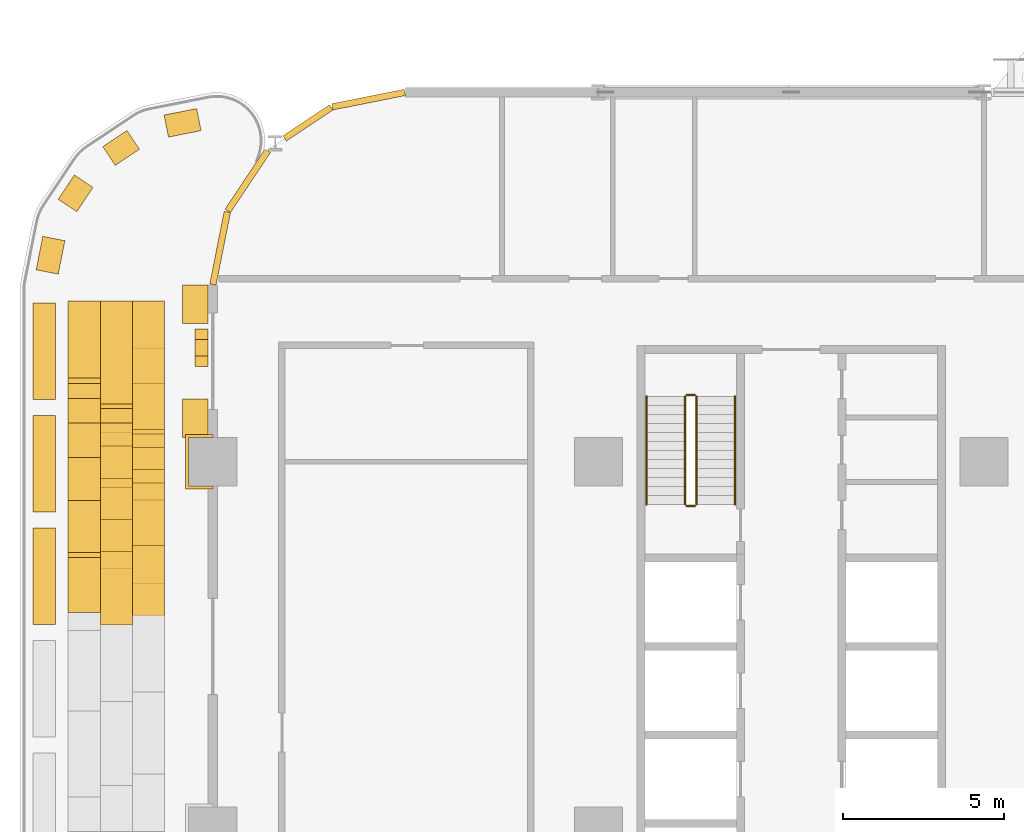
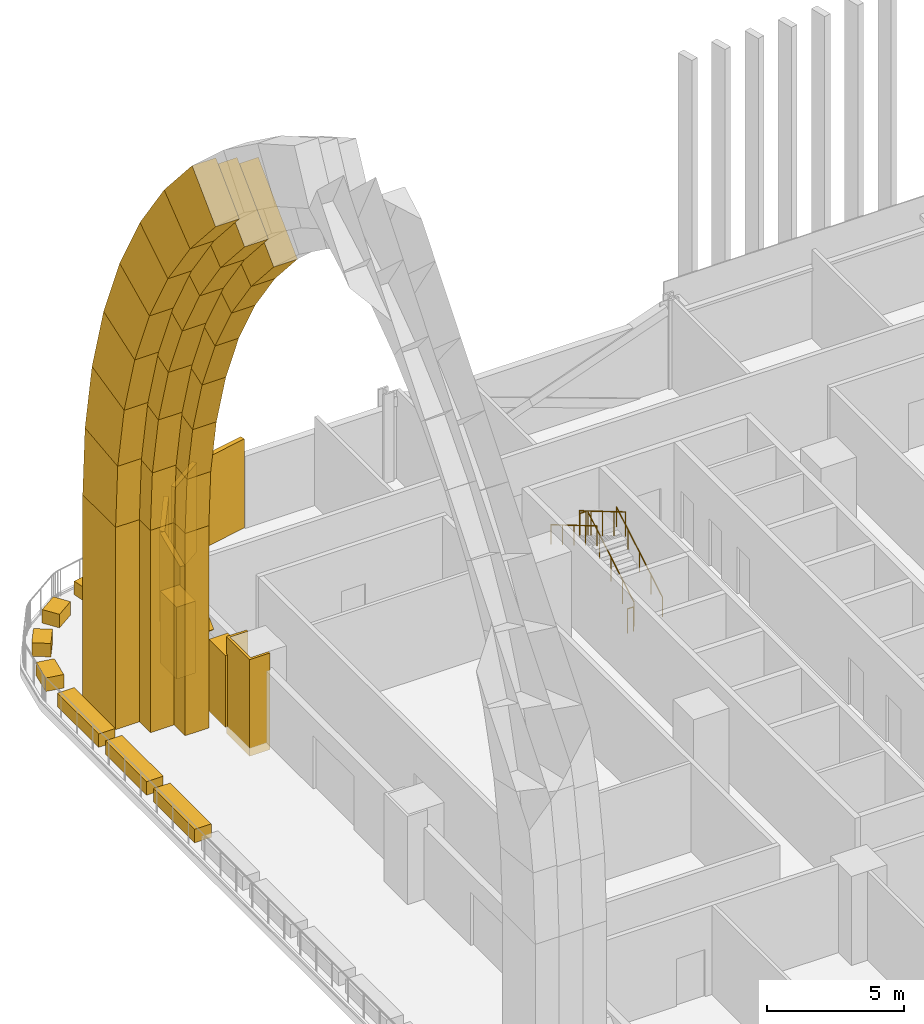
# One storey, part 25 of 29: 39 coverings, 6 railings.
"""IFC4 building model written with IfcOpenShell, lengths in metres."""

from ifc_helpers import new_model, si_unit, direction, frame, origin, origin_2d, place, context, subcontext, project, spatial, polyline, rectangle, circle, outline, extrude, material, layer, layer_set, type_object, element, save


model = new_model("IFC4")

# Units and contexts
model_context = context("Model", 3, precision=1e-05, world=origin(), true_north=direction((0.0, 1.0)))
body_context = subcontext(model_context, "Body", "Model", "MODEL_VIEW")
ifc_project = project(units=[si_unit("LENGTHUNIT", "METRE"), si_unit("AREAUNIT", "SQUARE_METRE"), si_unit("VOLUMEUNIT", "CUBIC_METRE"), si_unit("PLANEANGLEUNIT", "RADIAN"), si_unit("MASSUNIT", "GRAM", prefix="KILO")], contexts=[model_context])

# Site, building, storey
site_placement = place(None, origin())
site = spatial("IfcSite", under=ifc_project, at=site_placement, CompositionType="ELEMENT")
building_placement = place(site_placement, origin())
building = spatial("IfcBuilding", under=site, at=building_placement, Name="Mahtab Terrace Research Tower", CompositionType="ELEMENT")
storey_placement = place(building_placement, frame((0.0, 0.0, 46.0)))
storey = spatial("IfcBuildingStorey", under=building, at=storey_placement, Name="L10", CompositionType="ELEMENT", Elevation=46.0)

# Coverings
ifc_material_1 = material(Name="Black aluminium cladding panel", Category="aluminium")
ifc_layer_1 = layer(ifc_material_1, 0.199951171875)
ifc_layer_set_1 = layer_set([ifc_layer_1], Name="Black metal corner cladding 200")
covering_type_1 = type_object("IfcCoveringType", Name="Black metal corner cladding 200", PredefinedType="CLADDING", material=ifc_layer_set_1)
covering_1_placement = place(storey_placement, frame((-37.14794921875, 22.771484375, 0.0), z_axis=(0.0, 0.0, 1.0), x_axis=(-0.980760981187, -0.195212442692, 0.0)))
element("IfcCovering", 1, at=covering_1_placement, inside=storey, type_object=covering_type_1, Name="Corner cladding L10 11", PredefinedType="CLADDING", context=body_context, shape_type="SweptSolid", body=[
    extrude(rectangle(XDim=2.30126953125, YDim=0.199951171875, at=origin_2d()), origin(), (0.0, 0.0, 1.0), 3.9599609375),
])
covering_2_placement = place(storey_placement, frame((-39.0380859375, 22.047607421875, 0.0), z_axis=(0.0, 0.0, 1.0), x_axis=(-0.831655794326, -0.555291490808, 0.0)))
element("IfcCovering", 2, at=covering_2_placement, inside=storey, type_object=covering_type_1, Name="Corner cladding L10 12", PredefinedType="CLADDING", context=body_context, shape_type="SweptSolid", body=[
    extrude(rectangle(XDim=1.74462890625, YDim=0.199951171875, at=origin_2d()), origin(), (0.0, 0.0, 1.0), 3.9599609375),
])
covering_3_placement = place(storey_placement, frame((-40.911376953125, 20.2421875, 0.0), z_axis=(0.0, 0.0, 1.0), x_axis=(-0.555291490808, -0.831655794326, 0.0)))
element("IfcCovering", 3, at=covering_3_placement, inside=storey, type_object=covering_type_1, Name="Corner cladding L10 13", PredefinedType="CLADDING", context=body_context, shape_type="SweptSolid", body=[
    extrude(rectangle(XDim=2.235595703125, YDim=0.199951171875, at=origin_2d()), origin(), (0.0, 0.0, 1.0), 3.9599609375),
])
covering_4_placement = place(storey_placement, frame((-41.771484375, 18.14794921875, 0.0), z_axis=(0.0, 0.0, 1.0), x_axis=(-0.195212442692, -0.980760981187, 0.0)))
element("IfcCovering", 4, at=covering_4_placement, inside=storey, type_object=covering_type_1, Name="Corner cladding L10 14", PredefinedType="CLADDING", context=body_context, shape_type="SweptSolid", body=[
    extrude(rectangle(XDim=2.30126953125, YDim=0.199951171875, at=origin_2d()), origin(), (0.0, 0.0, 1.0), 3.9599609375),
])
ifc_material_2 = material(Name="Dark anodised aluminium cladding", Category="aluminium")
ifc_layer_2 = layer(ifc_material_2, 0.10009765625)
ifc_layer_set_2 = layer_set([ifc_layer_2], Name="Column casing 100")
covering_type_2 = type_object("IfcCoveringType", Name="Column casing 100", PredefinedType="CLADDING", material=ifc_layer_set_2)
covering_5_placement = place(storey_placement, frame((0.0, 0.0, -0.340087890625)))
element("IfcCovering", 5, at=covering_5_placement, inside=storey, type_object=covering_type_2, Name="Column casing RC-1C L10", PredefinedType="CLADDING", context=body_context, shape_type="SweptSolid", body=[
    extrude(outline(polyline([(-42.85009765625, 12.35009765625), (-42.0, 12.35009765625), (-42.0, 12.25), (-42.75, 12.25), (-42.75, 10.75), (-42.0, 10.75), (-42.0, 10.64990234375), (-42.85009765625, 10.64990234375), (-42.85009765625, 12.35009765625)])), origin(), (0.0, 0.0, 1.0), 4.300048828125),
])
ifc_material_3 = material(Name="Glazed ceramic tile cladding", Category="masonry")
ifc_layer_3 = layer(ifc_material_3, 1.0)
ifc_layer_set_3 = layer_set([ifc_layer_3], Name="Iwan portal cladding arch course 800")
covering_type_3 = type_object("IfcCoveringType", Name="Iwan portal cladding arch course 800", PredefinedType="CLADDING", material=ifc_layer_set_3)
covering_6_placement = place(storey_placement, frame((-43.5, 16.5, 9.030029296875), z_axis=(1.0, 0.0, 0.0), x_axis=(0.0, -0.055460822984, 0.998460864087)))
element("IfcCovering", 6, at=covering_6_placement, inside=storey, type_object=covering_type_3, Name="Iwan portal arch course 1.1.1W1", PredefinedType="CLADDING", context=body_context, shape_type="SweptSolid", body=[
    extrude(outline(polyline([(0.0, 0.0), (2.9405610794109034, 0.0), (2.7186306677855194, 3.9942862708441975), (0.22184329193756697, 3.9938434563490723), (0.0, 0.0)])), origin(), (0.0, 0.0, -1.0), 1.0),
])
covering_7_placement = place(storey_placement, frame((-43.5, 16.3369140625, 11.966064453125), z_axis=(1.0, 0.0, 0.0), x_axis=(0.0, -0.165879751015, 0.986145987267)))
element("IfcCovering", 7, at=covering_7_placement, inside=storey, type_object=covering_type_3, Name="Iwan portal arch course 1.1.1W2", PredefinedType="CLADDING", context=body_context, shape_type="SweptSolid", body=[
    extrude(outline(polyline([(0.0, 0.0), (2.94064203595893, -5.551115123125783e-17), (2.7191034176517146, 3.993193572315673), (0.22253339316267756, 3.9942527223482194), (0.0, 0.0)])), origin(), (0.0, 0.0, -1.0), 1.0),
])
covering_8_placement = place(storey_placement, frame((-43.5, 15.84912109375, 14.865966796875), z_axis=(1.0, 0.0, 0.0), x_axis=(0.0, -0.273821813739, 0.961780439768)))
element("IfcCovering", 8, at=covering_8_placement, inside=storey, type_object=covering_type_3, Name="Iwan portal arch course 1.1.1W3", PredefinedType="CLADDING", context=body_context, shape_type="SweptSolid", body=[
    extrude(outline(polyline([(0.0, 0.0), (2.940509999019991, -1.1102230246251565e-16), (2.7177216281952585, 3.9946852902108576), (0.22101927125385878, 3.9932223513246905), (0.0, 0.0)])), origin(), (0.0, 0.0, -1.0), 1.0),
])
covering_9_placement = place(storey_placement, frame((-43.5, 15.0439453125, 17.694091796875), z_axis=(1.0, 0.0, 0.0), x_axis=(0.0, -0.379062643921, 0.925371013153)))
element("IfcCovering", 9, at=covering_9_placement, inside=storey, type_object=covering_type_3, Name="Iwan portal arch course 1.1.1W4", PredefinedType="CLADDING", context=body_context, shape_type="SweptSolid", body=[
    extrude(outline(polyline([(0.0, 0.0), (2.941440556745329, -2.220446049250313e-16), (2.719930428130478, 3.9941025916612407), (0.22275519480547556, 3.994687140338892), (0.0, 0.0)])), origin(), (0.0, 0.0, -1.0), 1.0),
])
covering_10_placement = place(storey_placement, frame((-43.5, 13.928955078125, 20.416015625), z_axis=(1.0, 0.0, 0.0), x_axis=(0.0, -0.478881220228, 0.877879705263)))
element("IfcCovering", 10, at=covering_10_placement, inside=storey, type_object=covering_type_3, Name="Iwan portal arch course 1.1.1W5", PredefinedType="CLADDING", context=body_context, shape_type="SweptSolid", body=[
    extrude(outline(polyline([(0.0, 0.0), (2.9401006447990863, 0.0), (2.7175441550409722, 3.994260769571238), (0.22067789270468263, 3.9941486599105733), (0.0, 0.0)])), origin(), (0.0, 0.0, -1.0), 1.0),
])
covering_11_placement = place(storey_placement, frame((-43.5, 12.52099609375, 22.9970703125), z_axis=(1.0, 0.0, 0.0), x_axis=(0.0, -0.573412190327, 0.819267026057)))
element("IfcCovering", 11, at=covering_11_placement, inside=storey, type_object=covering_type_3, Name="Iwan portal arch course 1.1.1W6", PredefinedType="CLADDING", context=body_context, shape_type="SweptSolid", body=[
    extrude(outline(polyline([(0.0, 0.0), (2.9403545733650764, -2.220446049250313e-16), (2.7185814280906406, 3.9940420548651225), (0.22240414855525636, 3.9942692549670062), (0.0, 0.0)])), origin(), (0.0, 0.0, -1.0), 1.0),
])
covering_12_placement = place(storey_placement, frame((-43.5, 10.8349609375, 25.406005859375), z_axis=(1.0, 0.0, 0.0), x_axis=(0.0, -0.660594211147, 0.750743157277)))
element("IfcCovering", 12, at=covering_12_placement, inside=storey, type_object=covering_type_3, Name="Iwan portal arch course 1.1.1W7", PredefinedType="CLADDING", context=body_context, shape_type="SweptSolid", body=[
    extrude(outline(polyline([(0.0, 0.0), (2.94109615398585, 0.0), (2.7186280065322603, 3.9947243242258246), (0.22180179701225478, 3.9940404638458853), (0.0, 0.0)])), origin(), (0.0, 0.0, -1.0), 1.0),
])
covering_13_placement = place(storey_placement, frame((-44.5, 16.5, 9.030029296875), z_axis=(1.0, 0.0, 0.0), x_axis=(0.0, -0.055447571199, 0.998461600087)))
element("IfcCovering", 13, at=covering_13_placement, inside=storey, type_object=covering_type_3, Name="Iwan portal arch course 1.1.2W1", PredefinedType="CLADDING", context=body_context, shape_type="SweptSolid", body=[
    extrude(outline(polyline([(0.0, 0.0), (3.01171329760027, 0.0), (2.833354651785319, 3.194735975885438), (0.17742952043621738, 3.1950283672703064), (0.0, 0.0)])), origin(), (0.0, 0.0, -1.0), 1.0),
])
covering_14_placement = place(storey_placement, frame((-44.5, 16.3330078125, 12.037109375), z_axis=(1.0, 0.0, 0.0), x_axis=(0.0, -0.165700293067, 0.986176157123)))
element("IfcCovering", 14, at=covering_14_placement, inside=storey, type_object=covering_type_3, Name="Iwan portal arch course 1.1.2W2", PredefinedType="CLADDING", context=body_context, shape_type="SweptSolid", body=[
    extrude(outline(polyline([(0.0, 0.0), (3.01160262461619, 5.551115123125783e-17), (2.833599354589097, 3.195742954996072), (0.17660156459543241, 3.1948335871428535), (0.0, 0.0)])), origin(), (0.0, 0.0, -1.0), 1.0),
])
covering_15_placement = place(storey_placement, frame((-44.5, 15.833984375, 15.007080078125), z_axis=(1.0, 0.0, 0.0), x_axis=(0.0, -0.274260678529, 0.961655385371)))
element("IfcCovering", 15, at=covering_15_placement, inside=storey, type_object=covering_type_3, Name="Iwan portal arch course 1.1.2W3", PredefinedType="CLADDING", context=body_context, shape_type="SweptSolid", body=[
    extrude(outline(polyline([(0.0, 0.0), (3.011469740413322, 0.0), (2.83485199105373, 3.1951250649623435), (0.17821894630770474, 3.1957309345006406), (0.0, 0.0)])), origin(), (0.0, 0.0, -1.0), 1.0),
])
covering_16_placement = place(storey_placement, frame((-44.5, 15.008056640625, 17.903076171875), z_axis=(1.0, 0.0, 0.0), x_axis=(0.0, -0.378926404562, 0.9254268096)))
element("IfcCovering", 16, at=covering_16_placement, inside=storey, type_object=covering_type_3, Name="Iwan portal arch course 1.1.2W4", PredefinedType="CLADDING", context=body_context, shape_type="SweptSolid", body=[
    extrude(outline(polyline([(0.0, 0.0), (3.0114377554937386, 2.220446049250313e-16), (2.8345661882936612, 3.194134092496765), (0.1778094468183855, 3.195058968276111), (0.0, 0.0)])), origin(), (0.0, 0.0, -1.0), 1.0),
])
covering_17_placement = place(storey_placement, frame((-44.5, 13.866943359375, 20.68994140625), z_axis=(1.0, 0.0, 0.0), x_axis=(0.0, -0.478772612277, 0.877938941917)))
element("IfcCovering", 17, at=covering_17_placement, inside=storey, type_object=covering_type_3, Name="Iwan portal arch course 1.1.2W5", PredefinedType="CLADDING", context=body_context, shape_type="SweptSolid", body=[
    extrude(outline(polyline([(0.0, 0.0), (3.0116478977206107, 0.0), (2.8328020932122895, 3.195663208673265), (0.17682518456214646, 3.1941366605451473), (0.0, 0.0)])), origin(), (0.0, 0.0, -1.0), 1.0),
])
covering_18_placement = place(storey_placement, frame((-44.5, 12.425048828125, 23.333984375), z_axis=(1.0, 0.0, 0.0), x_axis=(0.0, -0.573489548763, 0.819212876767)))
element("IfcCovering", 18, at=covering_18_placement, inside=storey, type_object=covering_type_3, Name="Iwan portal arch course 1.1.2W6", PredefinedType="CLADDING", context=body_context, shape_type="SweptSolid", body=[
    extrude(outline(polyline([(0.0, 0.0), (3.0114773407402997, 0.0), (2.8348165530187144, 3.1950503598230604), (0.17785304792670353, 3.195718613770824), (0.0, 0.0)])), origin(), (0.0, 0.0, -1.0), 1.0),
])
covering_19_placement = place(storey_placement, frame((-44.5, 10.697998046875, 25.801025390625), z_axis=(1.0, 0.0, 0.0), x_axis=(0.0, -0.660688191476, 0.750660451632)))
element("IfcCovering", 19, at=covering_19_placement, inside=storey, type_object=covering_type_3, Name="Iwan portal arch course 1.1.2W7", PredefinedType="CLADDING", context=body_context, shape_type="SweptSolid", body=[
    extrude(outline(polyline([(0.0, 0.0), (3.0119960672079307, -2.220446049250313e-16), (2.8346253548064184, 3.1947767986943547), (0.17827250098350467, 3.194960837180475), (0.0, 0.0)])), origin(), (0.0, 0.0, -1.0), 1.0),
])
covering_20_placement = place(storey_placement, frame((-45.5, 16.5, 9.030029296875), z_axis=(1.0, 0.0, 0.0), x_axis=(0.0, -0.055439314745, 0.998462058558)))
element("IfcCovering", 20, at=covering_20_placement, inside=storey, type_object=covering_type_3, Name="Iwan portal arch course 1.1.3W1", PredefinedType="CLADDING", context=body_context, shape_type="SweptSolid", body=[
    extrude(outline(polyline([(0.0, 0.0), (3.0826217511149387, 0.0), (2.9493848087258625, 2.396081363235836), (0.13304894139254078, 2.3962114344796595), (0.0, 0.0)])), origin(), (0.0, 0.0, -1.0), 1.0),
])
covering_21_placement = place(storey_placement, frame((-45.5, 16.3291015625, 12.10791015625), z_axis=(1.0, 0.0, 0.0), x_axis=(0.0, -0.165760169926, 0.986166094563)))
element("IfcCovering", 21, at=covering_21_placement, inside=storey, type_object=covering_type_3, Name="Iwan portal arch course 1.1.3W2", PredefinedType="CLADDING", context=body_context, shape_type="SweptSolid", body=[
    extrude(outline(polyline([(0.0, 0.0), (3.0826846301651667, 1.1102230246251565e-16), (2.949006002846727, 2.3963742600089364), (0.13314849195056588, 2.3960862799896385), (0.0, 0.0)])), origin(), (0.0, 0.0, -1.0), 1.0),
])
covering_22_placement = place(storey_placement, frame((-45.5, 15.818115234375, 15.14794921875), z_axis=(1.0, 0.0, 0.0), x_axis=(0.0, -0.274135413278, 0.961691101751)))
element("IfcCovering", 22, at=covering_22_placement, inside=storey, type_object=covering_type_3, Name="Iwan portal arch course 1.1.3W3", PredefinedType="CLADDING", context=body_context, shape_type="SweptSolid", body=[
    extrude(outline(polyline([(0.0, 0.0), (3.083201960823577, 0.0), (2.949814575742687, 2.396183626285735), (0.13298336436249758, 2.396412943179441), (0.0, 0.0)])), origin(), (0.0, 0.0, -1.0), 1.0),
])
covering_23_placement = place(storey_placement, frame((-45.5, 14.972900390625, 18.113037109375), z_axis=(1.0, 0.0, 0.0), x_axis=(0.0, -0.378972119613, 0.92540808974)))
element("IfcCovering", 23, at=covering_23_placement, inside=storey, type_object=covering_type_3, Name="Iwan portal arch course 1.1.3W4", PredefinedType="CLADDING", context=body_context, shape_type="SweptSolid", body=[
    extrude(outline(polyline([(0.0, 0.0), (3.0819384581469658, 0.0), (2.949066917793149, 2.396074576576368), (0.13285146544897497, 2.3962133989915486), (0.0, 0.0)])), origin(), (0.0, 0.0, -1.0), 1.0),
])
covering_24_placement = place(storey_placement, frame((-45.5, 13.804931640625, 20.965087890625), z_axis=(1.0, 0.0, 0.0), x_axis=(0.0, -0.479140643479, 0.877738140773)))
element("IfcCovering", 24, at=covering_24_placement, inside=storey, type_object=covering_type_3, Name="Iwan portal arch course 1.1.3W5", PredefinedType="CLADDING", context=body_context, shape_type="SweptSolid", body=[
    extrude(outline(polyline([(0.0, 0.0), (3.0827081804756062, 0.0), (2.9493444613222026, 2.39561007994495), (0.1333408649985499, 2.3960485046161017), (0.0, 0.0)])), origin(), (0.0, 0.0, -1.0), 1.0),
])
covering_25_placement = place(storey_placement, frame((-45.5, 12.327880859375, 23.6708984375), z_axis=(1.0, 0.0, 0.0), x_axis=(0.0, -0.573148703481, 0.819451379704)))
element("IfcCovering", 25, at=covering_25_placement, inside=storey, type_object=covering_type_3, Name="Iwan portal arch course 1.1.3W6", PredefinedType="CLADDING", context=body_context, shape_type="SweptSolid", body=[
    extrude(outline(polyline([(0.0, 0.0), (3.082700340059719, 0.0), (2.9490379008220997, 2.396202377605511), (0.13202813098709987, 2.3956840587498864), (0.0, 0.0)])), origin(), (0.0, 0.0, -1.0), 1.0),
])
covering_26_placement = place(storey_placement, frame((-45.5, 10.56103515625, 26.197021484375), z_axis=(1.0, 0.0, 0.0), x_axis=(0.0, -0.660777839464, 0.750581539123)))
element("IfcCovering", 26, at=covering_26_placement, inside=storey, type_object=covering_type_3, Name="Iwan portal arch course 1.1.3W7", PredefinedType="CLADDING", context=body_context, shape_type="SweptSolid", body=[
    extrude(outline(polyline([(0.0, 0.0), (3.0828960254643447, 0.0), (2.950137716931978, 2.3963568973251945), (0.13381827455722584, 2.3961936798806107), (0.0, 0.0)])), origin(), (0.0, 0.0, -1.0), 1.0),
])
ifc_layer_4 = layer(ifc_material_3, 1.0)
ifc_layer_set_4 = layer_set([ifc_layer_4], Name="Iwan portal cladding pilaster 900")
covering_type_4 = type_object("IfcCoveringType", Name="Iwan portal cladding pilaster 900", PredefinedType="CLADDING", material=ifc_layer_set_4)
covering_27_placement = place(storey_placement, frame((-44.0, 14.5, 0.030029296875), z_axis=(0.0, 0.0, 1.0), x_axis=(0.0, -1.0, 0.0)))
element("IfcCovering", 27, at=covering_27_placement, inside=storey, type_object=covering_type_4, Name="Iwan portal pilaster 1.1.1W", PredefinedType="CLADDING", context=body_context, shape_type="SweptSolid", body=[
    extrude(rectangle(XDim=4.0, YDim=1.0, at=origin_2d()), origin(), (0.0, 0.0, 1.0), 9.0),
])
covering_28_placement = place(storey_placement, frame((-45.0, 14.89990234375, 0.030029296875), z_axis=(0.0, 0.0, 1.0), x_axis=(0.0, -1.0, 0.0)))
element("IfcCovering", 28, at=covering_28_placement, inside=storey, type_object=covering_type_4, Name="Iwan portal pilaster 1.1.2W", PredefinedType="CLADDING", context=body_context, shape_type="SweptSolid", body=[
    extrude(rectangle(XDim=3.199951171875, YDim=1.0, at=origin_2d()), origin(), (0.0, 0.0, 1.0), 9.0),
])
covering_29_placement = place(storey_placement, frame((-46.0, 15.300048828125, 0.030029296875), z_axis=(0.0, 0.0, 1.0), x_axis=(0.0, -1.0, 0.0)))
element("IfcCovering", 29, at=covering_29_placement, inside=storey, type_object=covering_type_4, Name="Iwan portal pilaster 1.1.3W", PredefinedType="CLADDING", context=body_context, shape_type="SweptSolid", body=[
    extrude(rectangle(XDim=2.39990234375, YDim=1.0, at=origin_2d()), origin(), (0.0, 0.0, 1.0), 9.0),
])
ifc_material_4 = material(Name="Bronze anodised aluminium", Category="aluminium")
ifc_layer_5 = layer(ifc_material_4, 0.39990234375)
ifc_layer_set_5 = layer_set([ifc_layer_5], Name="Mashrabiya relief panel 400")
covering_type_5 = type_object("IfcCoveringType", Name="Mashrabiya relief panel 400", PredefinedType="CLADDING", material=ifc_layer_set_5)
covering_30_placement = place(storey_placement, frame((-42.14990234375, 15.6298828125, 2.75), z_axis=(1.0, 0.0, 0.0), x_axis=(0.0, -0.706835286964, 0.707378171209)))
element("IfcCovering", 30, at=covering_30_placement, inside=storey, type_object=covering_type_5, Name="Mashrabiya lattice cell L10 W15.1", PredefinedType="CLADDING", context=body_context, shape_type="SweptSolid", body=[
    extrude(outline(polyline([(0.0, 0.0), (0.44971027849414613, 0.0), (0.8200395084317461, 0.3706136609897794), (0.8198668086829157, 0.820496506692657), (0.5864663453712156, 0.8204069095858194), (-0.0002621643155689135, 0.2332277635628698), (0.0, 0.0)])), origin(), (0.0, 0.0, -1.0), 0.39990234375),
])
ifc_layer_6 = layer(ifc_material_3, 0.800048828125)
ifc_layer_set_6 = layer_set([ifc_layer_6], Name="Pishtaq frame pier 800")
covering_type_6 = type_object("IfcCoveringType", Name="Pishtaq frame pier 800", PredefinedType="CLADDING", material=ifc_layer_set_6)
for number, where, z_axis, x_axis, name in (
    (31, (-42.550048828125, 16.39990234375, 0.00048828125), (0.0, 0.0, 1.0), (0.0, -1.0, 0.0), "Pishtaq frame pier 15a"),
    (32, (-42.550048828125, 12.85009765625, 0.00048828125), (0.0, 0.0, 1.0), (0.0, -1.0, 0.0), "Pishtaq frame pier 15b"),
):
    element("IfcCovering", number, at=place(storey_placement, frame(where, z_axis=z_axis, x_axis=x_axis)), inside=storey, type_object=covering_type_6, Name=name, PredefinedType="CLADDING", context=body_context, shape_type="SweptSolid", body=[
        extrude(rectangle(XDim=1.199951171875, YDim=0.800048828125, at=origin_2d()), origin(), (0.0, 0.0, 1.0), 3.202880859375),
    ])
ifc_material_5 = material(Name="Planting soil and shrubs")
ifc_layer_7 = layer(ifc_material_5, 0.1201171875)
ifc_layer_set_7 = layer_set([ifc_layer_7], Name="Planter")
covering_type_7 = type_object("IfcCoveringType", Name="Planter", PredefinedType="USERDEFINED", material=ifc_layer_set_7)
covering_31_placement = place(storey_placement, frame((-42.941162109375, 22.0478515625, 0.030029296875), z_axis=(0.0, 0.0, 1.0), x_axis=(-0.980724538195, -0.195395445655, 0.0)))
element("IfcCovering", 33, at=covering_31_placement, inside=storey, type_object=covering_type_7, Name="PLANTER terrace 1", ObjectType="PLANTER", PredefinedType="USERDEFINED", context=body_context, shape_type="SweptSolid", body=[
    extrude(rectangle(XDim=1.0341796875, YDim=0.699951171875, at=origin_2d()), origin(), (0.0, 0.0, 1.0), 0.60009765625),
])
for number, where, z_axis, x_axis, name in (
    (34, (-44.853759765625, 21.268798828125, 0.030029296875), (0.0, 0.0, 1.0), (-0.831344457855, -0.555757494231, 0.0), "PLANTER terrace 1"),
    (35, (-46.268798828125, 19.853759765625, 0.030029296875), (0.0, 0.0, 1.0), (-0.555757494231, -0.831344457855, 0.0), "PLANTER terrace 1"),
):
    element("IfcCovering", number, at=place(storey_placement, frame(where, z_axis=z_axis, x_axis=x_axis)), inside=storey, type_object=covering_type_7, Name=name, ObjectType="PLANTER", PredefinedType="USERDEFINED", context=body_context, shape_type="SweptSolid", body=[
        extrude(rectangle(XDim=0.908447265625, YDim=0.699951171875, at=origin_2d()), origin(), (0.0, 0.0, 1.0), 0.60009765625),
    ])
covering_32_placement = place(storey_placement, frame((-47.05029296875, 17.92822265625, 0.030029296875), z_axis=(0.0, 0.0, 1.0), x_axis=(-0.195303993071, -0.980742754391, 0.0)))
element("IfcCovering", 36, at=covering_32_placement, inside=storey, type_object=covering_type_7, Name="PLANTER terrace 1", ObjectType="PLANTER", PredefinedType="USERDEFINED", context=body_context, shape_type="SweptSolid", body=[
    extrude(rectangle(XDim=1.060546875, YDim=0.699951171875, at=origin_2d()), origin(), (0.0, 0.0, 1.0), 0.60009765625),
])
for number, where, z_axis, x_axis, name in (
    (37, (-47.25, 14.93408203125, 0.030029296875), (0.0, 0.0, 1.0), (0.0, -1.0, 0.0), "PLANTER terrace 1"),
    (38, (-47.25, 11.43408203125, 0.030029296875), (0.0, 0.0, 1.0), (0.0, -1.0, 0.0), "PLANTER terrace 1"),
    (39, (-47.25, 7.93408203125, 0.030029296875), (0.0, 0.0, 1.0), (0.0, -1.0, 0.0), "PLANTER terrace 1"),
):
    element("IfcCovering", number, at=place(storey_placement, frame(where, z_axis=z_axis, x_axis=x_axis)), inside=storey, type_object=covering_type_7, Name=name, ObjectType="PLANTER", PredefinedType="USERDEFINED", context=body_context, shape_type="SweptSolid", body=[
        extrude(rectangle(XDim=3.0, YDim=0.699951171875, at=origin_2d()), origin(), (0.0, 0.0, 1.0), 0.60009765625),
    ])

# Railings
ifc_material_6 = material(Name="Stainless steel AISI 304", Category="steel")
railing_type_1 = type_object("IfcRailingType", Name="Stair guard 1100", PredefinedType="GUARDRAIL", material=ifc_material_6)
railing_1_placement = place(storey_placement, frame((-26.949951171875, 10.175048828125, 0.165283203125)))
element("IfcRailing", 40, at=railing_1_placement, inside=storey, type_object=railing_type_1, Name="L10 ST1 stair guard 1", PredefinedType="GUARDRAIL", context=body_context, shape_type="SweptSolid", body=[
    extrude(circle(Radius=0.02392578125, at=origin_2d()), frame((0.0, 0.0, 1.076171875), z_axis=(0.0, 0.861011212953, 0.508585972249), x_axis=(-1.0, 0.0, 0.0)), (0.0, 0.0, 1.0), 3.90234375),
    extrude(circle(Radius=0.02099609375, at=origin_2d()), origin(), (0.0, 0.0, 1.0), 1.052001953125),
    extrude(circle(Radius=0.02099609375, at=origin_2d()), frame((0.0, 0.83984375, 0.49609375)), (0.0, 0.0, 1.0), 1.052001953125),
    extrude(circle(Radius=0.02099609375, at=origin_2d()), frame((0.0, 1.679931640625, 0.9921875)), (0.0, 0.0, 1.0), 1.052001953125),
    extrude(circle(Radius=0.02099609375, at=origin_2d()), frame((0.0, 2.52001953125, 1.488525390625)), (0.0, 0.0, 1.0), 1.052001953125),
    extrude(circle(Radius=0.02099609375, at=origin_2d()), frame((0.0, 3.35986328125, 1.984619140625)), (0.0, 0.0, 1.0), 1.052001953125),
])
railing_2_placement = place(storey_placement, frame((-27.0, 13.5849609375, 2.14990234375)))
element("IfcRailing", 41, at=railing_2_placement, inside=storey, type_object=railing_type_1, Name="L10 ST1 stair guard 2", PredefinedType="GUARDRAIL", context=body_context, shape_type="SweptSolid", body=[
    extrude(circle(Radius=0.02392578125, at=origin_2d()), frame((0.0, 0.0, 1.076171875), z_axis=(-1.0, 0.0, 0.0), x_axis=(0.0, -1.0, 0.0)), (0.0, 0.0, 1.0), 0.25),
    extrude(circle(Radius=0.02099609375, at=origin_2d()), origin(), (0.0, 0.0, 1.0), 1.052001953125),
    extrude(circle(Radius=0.02099609375, at=origin_2d()), frame((-0.25, 0.0, 0.0)), (0.0, 0.0, 1.0), 1.052001953125),
])
railing_3_placement = place(storey_placement, frame((-27.300048828125, 13.534912109375, 2.3154296875)))
element("IfcRailing", 42, at=railing_3_placement, inside=storey, type_object=railing_type_1, Name="L10 ST1 stair guard 3", PredefinedType="GUARDRAIL", context=body_context, shape_type="SweptSolid", body=[
    extrude(circle(Radius=0.02392578125, at=origin_2d()), frame((0.0, 0.0, 1.076171875), z_axis=(0.0, -0.861011212953, 0.508585972249), x_axis=(1.0, 0.0, 0.0)), (0.0, 0.0, 1.0), 3.90234375),
    extrude(circle(Radius=0.02099609375, at=origin_2d()), origin(), (0.0, 0.0, 1.0), 1.052001953125),
    extrude(circle(Radius=0.02099609375, at=origin_2d()), frame((0.0, -0.83984375, 0.49609375)), (0.0, 0.0, 1.0), 1.052001953125),
    extrude(circle(Radius=0.02099609375, at=origin_2d()), frame((0.0, -1.679931640625, 0.9921875)), (0.0, 0.0, 1.0), 1.052001953125),
    extrude(circle(Radius=0.02099609375, at=origin_2d()), frame((0.0, -2.52001953125, 1.488525390625)), (0.0, 0.0, 1.0), 1.052001953125),
    extrude(circle(Radius=0.02099609375, at=origin_2d()), frame((0.0, -3.35986328125, 1.984619140625)), (0.0, 0.0, 1.0), 1.052001953125),
])
railing_4_placement = place(storey_placement, frame((-27.0, 10.125, 0.0)))
element("IfcRailing", 43, at=railing_4_placement, inside=storey, type_object=railing_type_1, Name="L10 ST1 stair guard 4", PredefinedType="GUARDRAIL", context=body_context, shape_type="SweptSolid", body=[
    extrude(circle(Radius=0.02392578125, at=origin_2d()), frame((0.0, 0.0, 1.076171875), z_axis=(-1.0, 0.0, 0.0), x_axis=(0.0, -1.0, 0.0)), (0.0, 0.0, 1.0), 0.25),
    extrude(circle(Radius=0.02099609375, at=origin_2d()), origin(), (0.0, 0.0, 1.0), 1.052001953125),
    extrude(circle(Radius=0.02099609375, at=origin_2d()), frame((-0.25, 0.0, 0.0)), (0.0, 0.0, 1.0), 1.052001953125),
])
railing_type_2 = type_object("IfcRailingType", Name="Stair handrail 900", PredefinedType="HANDRAIL", material=ifc_material_6)
railing_5_placement = place(storey_placement, frame((-25.75, 10.175048828125, 0.165283203125)))
element("IfcRailing", 44, at=railing_5_placement, inside=storey, type_object=railing_type_2, Name="L10 ST1 stair handrail 1", PredefinedType="HANDRAIL", context=body_context, shape_type="SweptSolid", body=[
    extrude(circle(Radius=0.02392578125, at=origin_2d()), frame((0.0, 0.0, 0.8759765625), z_axis=(0.0, 0.861011212953, 0.508585972249), x_axis=(-1.0, 0.0, 0.0)), (0.0, 0.0, 1.0), 3.90234375),
    extrude(circle(Radius=0.02099609375, at=origin_2d()), origin(), (0.0, 0.0, 1.0), 0.851806640625),
    extrude(circle(Radius=0.02099609375, at=origin_2d()), frame((0.0, 0.83984375, 0.49609375)), (0.0, 0.0, 1.0), 0.851806640625),
    extrude(circle(Radius=0.02099609375, at=origin_2d()), frame((0.0, 1.679931640625, 0.9921875)), (0.0, 0.0, 1.0), 0.851806640625),
    extrude(circle(Radius=0.02099609375, at=origin_2d()), frame((0.0, 2.52001953125, 1.488525390625)), (0.0, 0.0, 1.0), 0.851806640625),
    extrude(circle(Radius=0.02099609375, at=origin_2d()), frame((0.0, 3.35986328125, 1.984619140625)), (0.0, 0.0, 1.0), 0.851806640625),
])
railing_6_placement = place(storey_placement, frame((-28.5, 13.534912109375, 2.3154296875)))
element("IfcRailing", 45, at=railing_6_placement, inside=storey, type_object=railing_type_2, Name="L10 ST1 stair handrail 2", PredefinedType="HANDRAIL", context=body_context, shape_type="SweptSolid", body=[
    extrude(circle(Radius=0.02392578125, at=origin_2d()), frame((0.0, 0.0, 0.8759765625), z_axis=(0.0, -0.861011212953, 0.508585972249), x_axis=(1.0, 0.0, 0.0)), (0.0, 0.0, 1.0), 3.90234375),
    extrude(circle(Radius=0.02099609375, at=origin_2d()), origin(), (0.0, 0.0, 1.0), 0.851806640625),
    extrude(circle(Radius=0.02099609375, at=origin_2d()), frame((0.0, -0.83984375, 0.49609375)), (0.0, 0.0, 1.0), 0.851806640625),
    extrude(circle(Radius=0.02099609375, at=origin_2d()), frame((0.0, -1.679931640625, 0.9921875)), (0.0, 0.0, 1.0), 0.851806640625),
    extrude(circle(Radius=0.02099609375, at=origin_2d()), frame((0.0, -2.52001953125, 1.488525390625)), (0.0, 0.0, 1.0), 0.851806640625),
    extrude(circle(Radius=0.02099609375, at=origin_2d()), frame((0.0, -3.35986328125, 1.984619140625)), (0.0, 0.0, 1.0), 0.851806640625),
])

save(model, "model.ifc")
